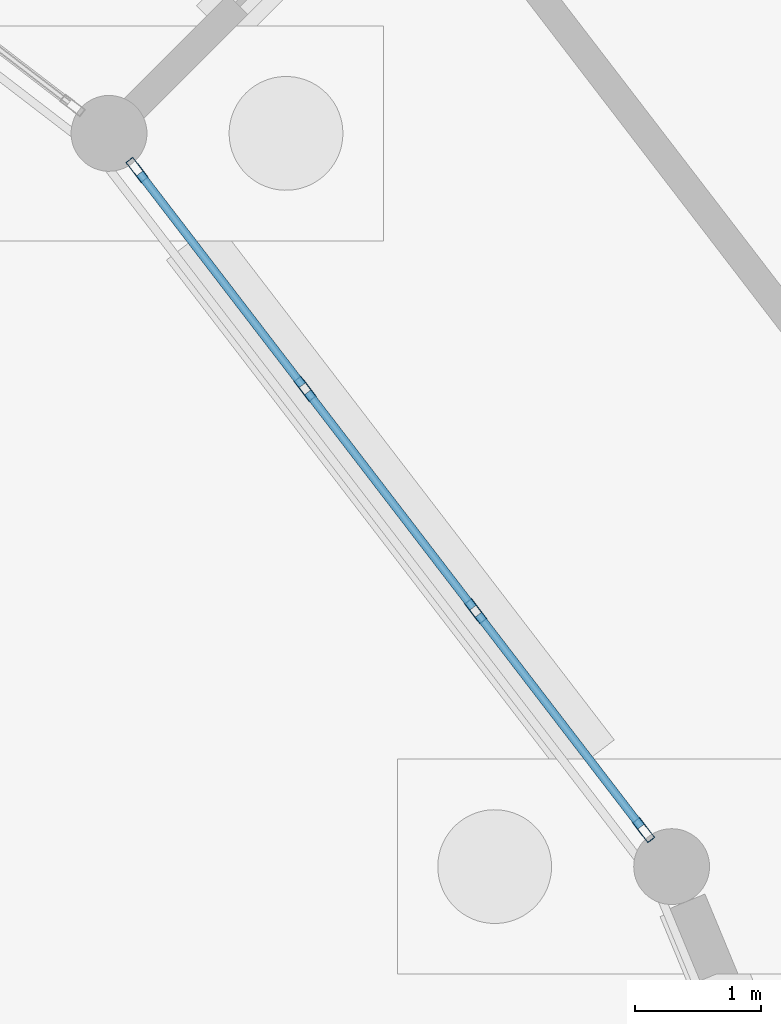
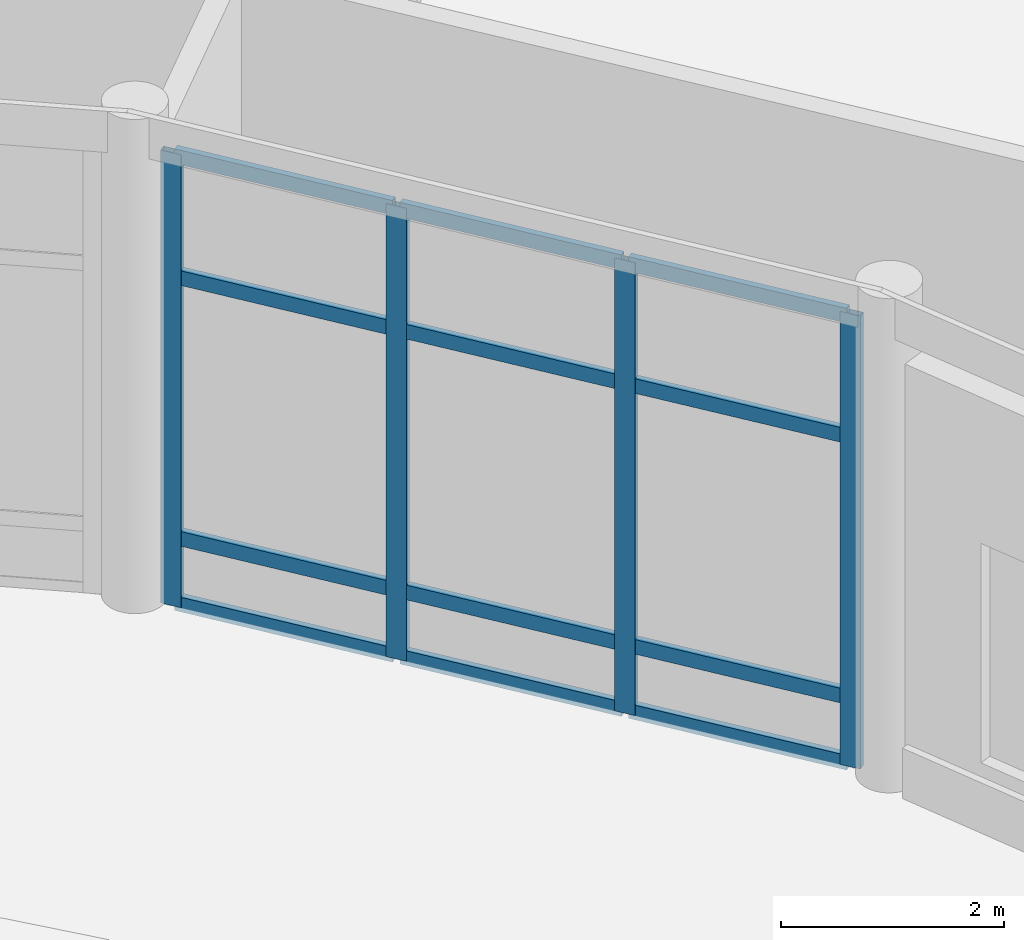
# One storey, part 55 of 137: 16 members, 1 element without a shape of its own.
"""IFC4 building model written with IfcOpenShell, lengths in metres."""

from ifc_helpers import new_model, si_unit, direction, frame, origin, origin_2d, place, context, subcontext, project, spatial, hollow_rectangle, extrude, material, material_profile, profile_set, type_object, element, aggregate, save


model = new_model("IFC4")

# Units and contexts
model_context = context("Model", 3, precision=1e-05, world=origin(), true_north=direction((0.0, 1.0)))
body_context = subcontext(model_context, "Body", "Model", "MODEL_VIEW")
ifc_project = project(units=[si_unit("LENGTHUNIT", "METRE"), si_unit("AREAUNIT", "SQUARE_METRE"), si_unit("VOLUMEUNIT", "CUBIC_METRE"), si_unit("PLANEANGLEUNIT", "RADIAN"), si_unit("MASSUNIT", "GRAM", prefix="KILO")], contexts=[model_context])

# Site, building, storey
site_placement = place(None, origin())
site = spatial("IfcSite", under=ifc_project, at=site_placement, CompositionType="ELEMENT")
building_placement = place(site_placement, origin())
building = spatial("IfcBuilding", under=site, at=building_placement, Name="Vondelvale Polytechnic", CompositionType="ELEMENT")
storey_placement = place(building_placement, origin())
storey = spatial("IfcBuildingStorey", under=building, at=storey_placement, Name="L00", CompositionType="ELEMENT", Elevation=0.0)

# Curtain wall, members
ifc_material = material(Name="Anodised extruded aluminium 6063-T6", Category="aluminium")
curtain_wall_type = type_object("IfcCurtainWallType", Name="CW-RING-CLOISTER", PredefinedType="NOTDEFINED", material=ifc_material)
curtain_wall_placement = place(storey_placement, origin())
curtain_wall = element("IfcCurtainWall", 1, at=curtain_wall_placement, inside=storey, type_object=curtain_wall_type, Name="L00 architectural curtain wall CW-03-085", PredefinedType="NOTDEFINED")
ifc_material_profile_1 = material_profile(ifc_material, hollow_rectangle(XDim=0.070068359375, YDim=0.199951171875, WallThickness=0.00390625, at=origin_2d()), Name="CW-MUL-200x70")
ifc_profile_set_1 = profile_set([ifc_material_profile_1], Name="Anodised extruded aluminium 6063-T6")
member_type_1 = type_object("IfcMemberType", Name="CW-MUL-70x200", PredefinedType="MULLION", material=ifc_profile_set_1)
member_1_placement = place(storey_placement, frame((126.02734375, 86.28857421875, 0.0), z_axis=(0.0, 0.0, 1.0), x_axis=(-0.793363861089, -0.608747717793, 0.0)))
member_1 = element("IfcMember", 2, at=member_1_placement, type_object=member_type_1, Name="CW-03-085 mullion 1", PredefinedType="MULLION", context=body_context, shape_type="SweptSolid", body=[
    extrude(hollow_rectangle(XDim=0.070068359375, YDim=0.199951171875, WallThickness=0.00390625, at=origin_2d()), origin(), (0.0, 0.0, 1.0), 4.949951171875),
])
member_2_placement = place(storey_placement, frame((124.69873046875, 88.02001953125, 0.0), z_axis=(0.0, 0.0, 1.0), x_axis=(-0.793363861089, -0.608747717793, 0.0)))
member_2 = element("IfcMember", 3, at=member_2_placement, type_object=member_type_1, Name="CW-03-085 mullion 2", PredefinedType="MULLION", context=body_context, shape_type="SweptSolid", body=[
    extrude(hollow_rectangle(XDim=0.070068359375, YDim=0.199951171875, WallThickness=0.00390625, at=origin_2d()), origin(), (0.0, 0.0, 1.0), 4.949951171875),
])
member_3_placement = place(storey_placement, frame((123.348876953125, 89.779052734375, 0.0), z_axis=(0.0, 0.0, 1.0), x_axis=(-0.793363861089, -0.608747717793, 0.0)))
member_3 = element("IfcMember", 4, at=member_3_placement, type_object=member_type_1, Name="CW-03-085 mullion 3", PredefinedType="MULLION", context=body_context, shape_type="SweptSolid", body=[
    extrude(hollow_rectangle(XDim=0.070068359375, YDim=0.199951171875, WallThickness=0.00390625, at=origin_2d()), origin(), (0.0, 0.0, 1.0), 4.949951171875),
])
member_4_placement = place(storey_placement, frame((122.0205078125, 91.510498046875, 0.0), z_axis=(0.0, 0.0, 1.0), x_axis=(-0.793363861089, -0.608747717793, 0.0)))
member_4 = element("IfcMember", 5, at=member_4_placement, type_object=member_type_1, Name="CW-03-085 mullion 4", PredefinedType="MULLION", context=body_context, shape_type="SweptSolid", body=[
    extrude(hollow_rectangle(XDim=0.070068359375, YDim=0.199951171875, WallThickness=0.00390625, at=origin_2d()), origin(), (0.0, 0.0, 1.0), 4.949951171875),
])
ifc_material_profile_2 = material_profile(ifc_material, hollow_rectangle(XDim=0.06494140625, YDim=0.159912109375, WallThickness=0.00341796875, at=origin_2d()), Name="CW-TRN-160x65")
ifc_profile_set_2 = profile_set([ifc_material_profile_2], Name="Anodised extruded aluminium 6063-T6")
member_type_2 = type_object("IfcMemberType", Name="CW-TRN-70x160", PredefinedType="USERDEFINED", material=ifc_profile_set_2)
member_5_placement = place(storey_placement, frame((126.006103515625, 86.316162109375, 0.032470703125), z_axis=(-0.608783266169, 0.793336583571, 0.0), x_axis=(-0.793336583571, -0.608783266169, 0.0)))
member_5 = element("IfcMember", 6, at=member_5_placement, type_object=member_type_2, Name="CW-03-085 transom 1.1", ObjectType="TRANSOM", PredefinedType="USERDEFINED", context=body_context, shape_type="SweptSolid", body=[
    extrude(hollow_rectangle(XDim=0.06494140625, YDim=0.159912109375, WallThickness=0.00341796875, at=origin_2d()), origin(), (0.0, 0.0, 1.0), 2.112548828125),
])
member_6_placement = place(storey_placement, frame((126.006103515625, 86.316162109375, 0.75), z_axis=(-0.608783266169, 0.793336583571, 0.0), x_axis=(-0.793336583571, -0.608783266169, 0.0)))
member_6 = element("IfcMember", 7, at=member_6_placement, type_object=member_type_2, Name="CW-03-085 transom 1.2", ObjectType="TRANSOM", PredefinedType="USERDEFINED", context=body_context, shape_type="SweptSolid", body=[
    extrude(hollow_rectangle(XDim=0.06494140625, YDim=0.159912109375, WallThickness=0.00341796875, at=origin_2d()), origin(), (0.0, 0.0, 1.0), 2.112548828125),
])
member_7_placement = place(storey_placement, frame((126.006103515625, 86.316162109375, 3.60009765625), z_axis=(-0.608783266169, 0.793336583571, 0.0), x_axis=(-0.793336583571, -0.608783266169, 0.0)))
member_7 = element("IfcMember", 8, at=member_7_placement, type_object=member_type_2, Name="CW-03-085 transom 1.3", ObjectType="TRANSOM", PredefinedType="USERDEFINED", context=body_context, shape_type="SweptSolid", body=[
    extrude(hollow_rectangle(XDim=0.06494140625, YDim=0.159912109375, WallThickness=0.00341796875, at=origin_2d()), origin(), (0.0, 0.0, 1.0), 2.112548828125),
])
member_8_placement = place(storey_placement, frame((126.006103515625, 86.316162109375, 4.91748046875), z_axis=(-0.608783266169, 0.793336583571, 0.0), x_axis=(-0.793336583571, -0.608783266169, 0.0)))
member_8 = element("IfcMember", 9, at=member_8_placement, type_object=member_type_2, Name="CW-03-085 transom 1.4", ObjectType="TRANSOM", PredefinedType="USERDEFINED", context=body_context, shape_type="SweptSolid", body=[
    extrude(hollow_rectangle(XDim=0.06494140625, YDim=0.159912109375, WallThickness=0.00341796875, at=origin_2d()), origin(), (0.0, 0.0, 1.0), 2.112548828125),
])
member_9_placement = place(storey_placement, frame((124.677490234375, 88.047607421875, 0.032470703125), z_axis=(-0.608732251269, 0.793375728306, 0.0), x_axis=(-0.793375728306, -0.608732251269, 0.0)))
member_9 = element("IfcMember", 10, at=member_9_placement, type_object=member_type_2, Name="CW-03-085 transom 2.1", ObjectType="TRANSOM", PredefinedType="USERDEFINED", context=body_context, shape_type="SweptSolid", body=[
    extrude(hollow_rectangle(XDim=0.06494140625, YDim=0.159912109375, WallThickness=0.00341796875, at=origin_2d()), origin(), (0.0, 0.0, 1.0), 2.147216796875),
])
member_10_placement = place(storey_placement, frame((124.677490234375, 88.047607421875, 0.75), z_axis=(-0.608732251269, 0.793375728306, 0.0), x_axis=(-0.793375728306, -0.608732251269, 0.0)))
member_10 = element("IfcMember", 11, at=member_10_placement, type_object=member_type_2, Name="CW-03-085 transom 2.2", ObjectType="TRANSOM", PredefinedType="USERDEFINED", context=body_context, shape_type="SweptSolid", body=[
    extrude(hollow_rectangle(XDim=0.06494140625, YDim=0.159912109375, WallThickness=0.00341796875, at=origin_2d()), origin(), (0.0, 0.0, 1.0), 2.147216796875),
])
member_11_placement = place(storey_placement, frame((124.677490234375, 88.047607421875, 3.60009765625), z_axis=(-0.608732251269, 0.793375728306, 0.0), x_axis=(-0.793375728306, -0.608732251269, 0.0)))
member_11 = element("IfcMember", 12, at=member_11_placement, type_object=member_type_2, Name="CW-03-085 transom 2.3", ObjectType="TRANSOM", PredefinedType="USERDEFINED", context=body_context, shape_type="SweptSolid", body=[
    extrude(hollow_rectangle(XDim=0.06494140625, YDim=0.159912109375, WallThickness=0.00341796875, at=origin_2d()), origin(), (0.0, 0.0, 1.0), 2.147216796875),
])
member_12_placement = place(storey_placement, frame((124.677490234375, 88.047607421875, 4.91748046875), z_axis=(-0.608732251269, 0.793375728306, 0.0), x_axis=(-0.793375728306, -0.608732251269, 0.0)))
member_12 = element("IfcMember", 13, at=member_12_placement, type_object=member_type_2, Name="CW-03-085 transom 2.4", ObjectType="TRANSOM", PredefinedType="USERDEFINED", context=body_context, shape_type="SweptSolid", body=[
    extrude(hollow_rectangle(XDim=0.06494140625, YDim=0.159912109375, WallThickness=0.00341796875, at=origin_2d()), origin(), (0.0, 0.0, 1.0), 2.147216796875),
])
member_13_placement = place(storey_placement, frame((123.32763671875, 89.806884765625, 0.032470703125), z_axis=(-0.608766343448, 0.793349569285, 0.0), x_axis=(-0.793349569285, -0.608766343448, 0.0)))
member_13 = element("IfcMember", 14, at=member_13_placement, type_object=member_type_2, Name="CW-03-085 transom 3.1", ObjectType="TRANSOM", PredefinedType="USERDEFINED", context=body_context, shape_type="SweptSolid", body=[
    extrude(hollow_rectangle(XDim=0.06494140625, YDim=0.159912109375, WallThickness=0.00341796875, at=origin_2d()), origin(), (0.0, 0.0, 1.0), 2.1123046875),
])
member_14_placement = place(storey_placement, frame((123.32763671875, 89.806884765625, 0.75), z_axis=(-0.608766343448, 0.793349569285, 0.0), x_axis=(-0.793349569285, -0.608766343448, 0.0)))
member_14 = element("IfcMember", 15, at=member_14_placement, type_object=member_type_2, Name="CW-03-085 transom 3.2", ObjectType="TRANSOM", PredefinedType="USERDEFINED", context=body_context, shape_type="SweptSolid", body=[
    extrude(hollow_rectangle(XDim=0.06494140625, YDim=0.159912109375, WallThickness=0.00341796875, at=origin_2d()), origin(), (0.0, 0.0, 1.0), 2.1123046875),
])
member_15_placement = place(storey_placement, frame((123.32763671875, 89.806884765625, 3.60009765625), z_axis=(-0.608766343448, 0.793349569285, 0.0), x_axis=(-0.793349569285, -0.608766343448, 0.0)))
member_15 = element("IfcMember", 16, at=member_15_placement, type_object=member_type_2, Name="CW-03-085 transom 3.3", ObjectType="TRANSOM", PredefinedType="USERDEFINED", context=body_context, shape_type="SweptSolid", body=[
    extrude(hollow_rectangle(XDim=0.06494140625, YDim=0.159912109375, WallThickness=0.00341796875, at=origin_2d()), origin(), (0.0, 0.0, 1.0), 2.1123046875),
])
member_16_placement = place(storey_placement, frame((123.32763671875, 89.806884765625, 4.91748046875), z_axis=(-0.608766343448, 0.793349569285, 0.0), x_axis=(-0.793349569285, -0.608766343448, 0.0)))
member_16 = element("IfcMember", 17, at=member_16_placement, type_object=member_type_2, Name="CW-03-085 transom 3.4", ObjectType="TRANSOM", PredefinedType="USERDEFINED", context=body_context, shape_type="SweptSolid", body=[
    extrude(hollow_rectangle(XDim=0.06494140625, YDim=0.159912109375, WallThickness=0.00341796875, at=origin_2d()), origin(), (0.0, 0.0, 1.0), 2.1123046875),
])
aggregate(curtain_wall, [member_1, member_2, member_3, member_4, member_5, member_6, member_7, member_8, member_9, member_10, member_11, member_12, member_13, member_14, member_15, member_16])

save(model, "model.ifc")
